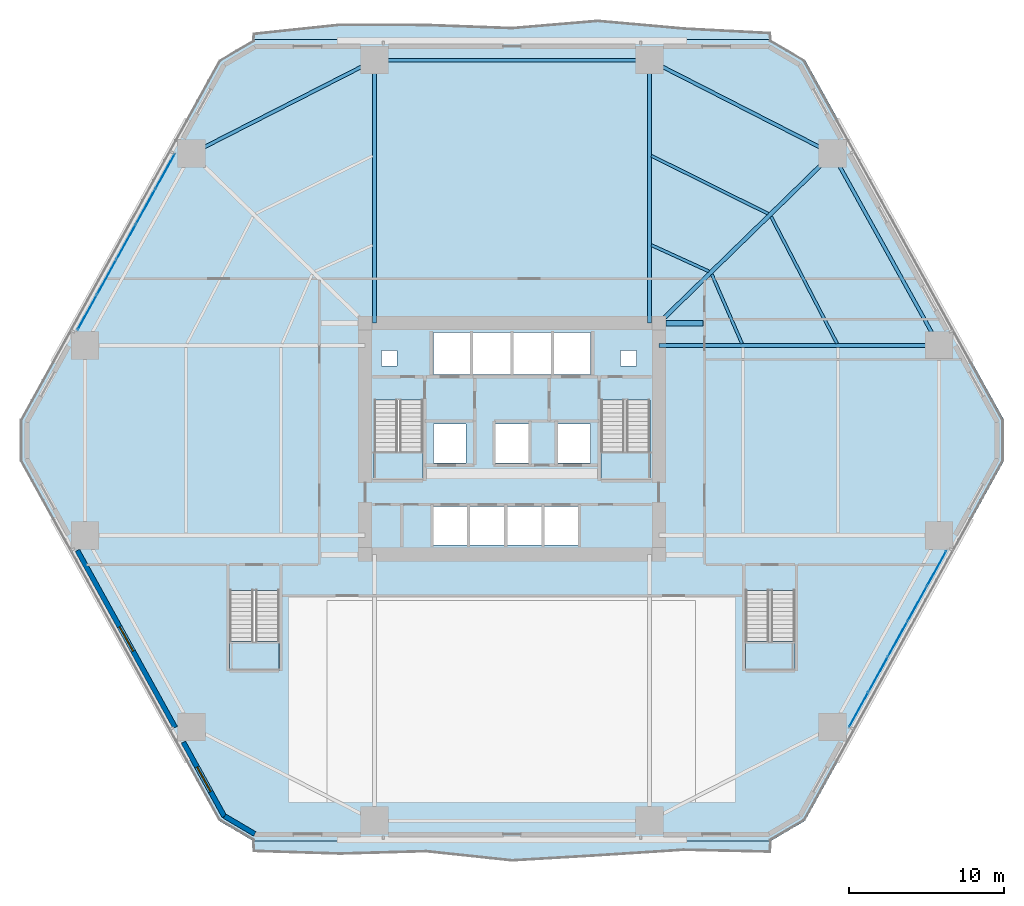
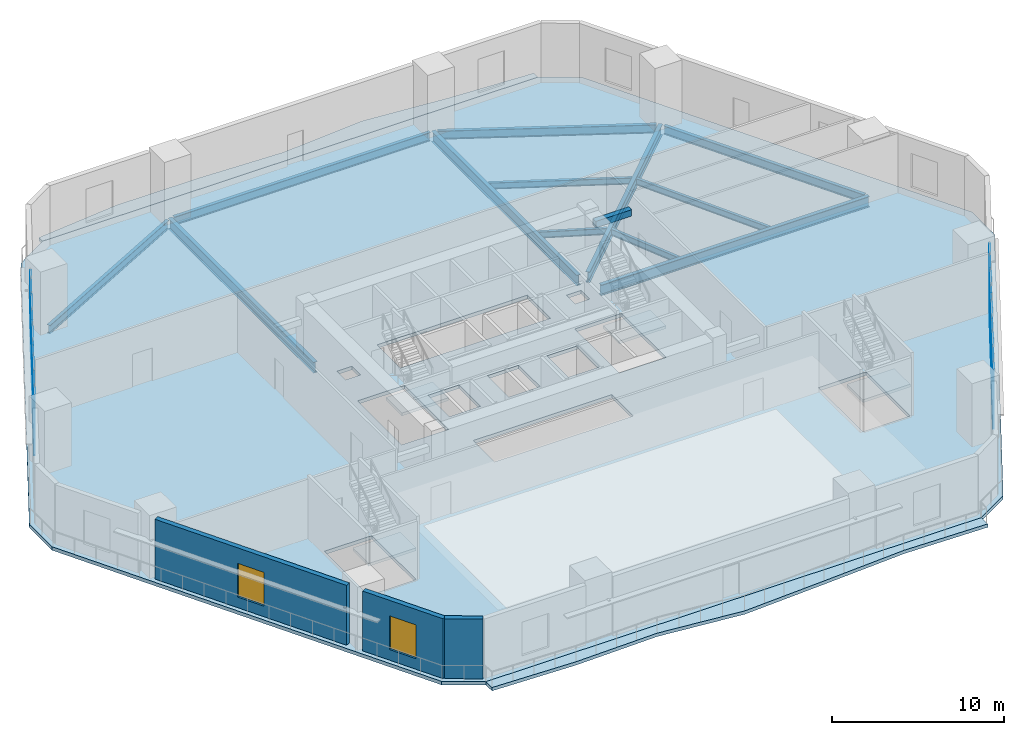
# One storey, part 8 of 21: 20 plates, 13 beams, 7 slabs, 3 walls, 2 windows, 2 openings, 6 elements without a shape of their own.
"""IFC4 building model written with IfcOpenShell, lengths in metres."""

from ifc_helpers import new_model, si_unit, direction, frame, frame_2d, origin, origin_2d, place, context, subcontext, project, spatial, polyline, rectangle, i_section, outline, extrude, material, layer, layer_set, material_profile, profile_set, type_object, element, fill, aggregate, save


model = new_model("IFC4")

# Units and contexts
model_context = context("Model", 3, precision=1e-05, world=origin(), true_north=direction((0.0, 1.0)))
body_context = subcontext(model_context, "Body", "Model", "MODEL_VIEW")
ifc_project = project(units=[si_unit("LENGTHUNIT", "METRE"), si_unit("AREAUNIT", "SQUARE_METRE"), si_unit("VOLUMEUNIT", "CUBIC_METRE"), si_unit("PLANEANGLEUNIT", "RADIAN"), si_unit("MASSUNIT", "GRAM", prefix="KILO")], contexts=[model_context])

# Site, building, storey
site_placement = place(None, origin())
site = spatial("IfcSite", under=ifc_project, at=site_placement, CompositionType="ELEMENT")
building_placement = place(site_placement, origin())
building = spatial("IfcBuilding", under=site, at=building_placement, Name="Cinnabar Lancet Tower", CompositionType="ELEMENT")
storey_placement = place(building_placement, frame((0.0, 0.0, 6.0)))
storey = spatial("IfcBuildingStorey", under=building, at=storey_placement, Name="L01", CompositionType="ELEMENT", Elevation=6.0)

# Beams
ifc_material_1 = material(Name="Structural steel S355", Category="steel")
ifc_material_profile_1 = material_profile(ifc_material_1, i_section(OverallWidth=0.1904296875, OverallDepth=0.45703125, WebThickness=0.009033203125, FlangeThickness=0.014404296875, FilletRadius=0.01025390625, at=origin_2d()), Name="UKB 457x191x74")
ifc_profile_set_1 = profile_set([ifc_material_profile_1], Name="Structural steel S355")
beam_type_1 = type_object("IfcBeamType", Name="STR-BM-JST-457", PredefinedType="JOIST", material=ifc_profile_set_1)
beam_1_placement = place(storey_placement, frame((53.326904296875, 32.041015625, -0.47900390625), z_axis=(-0.461626641841, 0.887074316809, 0.0), x_axis=(-0.887074316809, -0.461626641841, 0.0)))
element("IfcBeam", 1, at=beam_1_placement, inside=storey, type_object=beam_type_1, Name="L01 Secondary Floor Joist 3", PredefinedType="JOIST", context=body_context, shape_type="SweptSolid", body=[
    extrude(i_section(OverallWidth=0.1904296875, OverallDepth=0.45703125, WebThickness=0.009033203125, FlangeThickness=0.014404296875, FilletRadius=0.01025390625, at=origin_2d()), origin(), (0.0, 0.0, 1.0), 9.204345703125),
])
beam_2_placement = place(storey_placement, frame((47.2041015625, 32.041015625, -0.47900390625), z_axis=(-0.399496554125, 0.916734696214, 0.0), x_axis=(-0.916734696214, -0.399496554125, 0.0)))
element("IfcBeam", 2, at=beam_2_placement, inside=storey, type_object=beam_type_1, Name="L01 Secondary Floor Joist 4", PredefinedType="JOIST", context=body_context, shape_type="SweptSolid", body=[
    extrude(i_section(OverallWidth=0.1904296875, OverallDepth=0.45703125, WebThickness=0.009033203125, FlangeThickness=0.014404296875, FilletRadius=0.01025390625, at=origin_2d()), origin(), (0.0, 0.0, 1.0), 4.854248046875),
])
beam_3_placement = place(storey_placement, frame((48.886962890625, 40.39306640625, -0.47900390625), z_axis=(-0.895687488764, 0.444684070404, 0.0), x_axis=(-0.444684070404, -0.895687488764, 0.0)))
element("IfcBeam", 3, at=beam_3_placement, inside=storey, type_object=beam_type_1, Name="L01 Secondary Floor Joist 5", PredefinedType="JOIST", context=body_context, shape_type="SweptSolid", body=[
    extrude(i_section(OverallWidth=0.1904296875, OverallDepth=0.45703125, WebThickness=0.009033203125, FlangeThickness=0.014404296875, FilletRadius=0.01025390625, at=origin_2d()), origin(), (0.0, 0.0, 1.0), 8.383544921875),
])
beam_4_placement = place(storey_placement, frame((45.077880859375, 36.680908203125, -0.47900390625), z_axis=(-0.909792004986, 0.415064462057, 0.0), x_axis=(-0.415064462057, -0.909792004986, 0.0)))
element("IfcBeam", 4, at=beam_4_placement, inside=storey, type_object=beam_type_1, Name="L01 Secondary Floor Joist 6", PredefinedType="JOIST", context=body_context, shape_type="SweptSolid", body=[
    extrude(i_section(OverallWidth=0.1904296875, OverallDepth=0.45703125, WebThickness=0.009033203125, FlangeThickness=0.014404296875, FilletRadius=0.01025390625, at=origin_2d()), origin(), (0.0, 0.0, 1.0), 4.06689453125),
])
ifc_material_2 = material(Name="Concrete C45/55", Category="concrete")
ifc_material_profile_2 = material_profile(ifc_material_2, rectangle(XDim=0.35009765625, YDim=0.449951171875, at=origin_2d()), Name="RC-LNT 350x450")
ifc_profile_set_2 = profile_set([ifc_material_profile_2], Name="Concrete C45/55")
beam_type_2 = type_object("IfcBeamType", Name="STR-BM-LNT-450", PredefinedType="LINTEL", material=ifc_profile_set_2)
beam_5_placement = place(storey_placement, frame((42.300048828125, 33.35009765625, 3.050048828125), z_axis=(1.0, 0.0, 0.0), x_axis=(0.0, 1.0, 0.0)))
element("IfcBeam", 5, at=beam_5_placement, inside=storey, type_object=beam_type_2, Name="L01 Podium Gallery Arch Lintel NE", PredefinedType="LINTEL", context=body_context, shape_type="SweptSolid", body=[
    extrude(rectangle(XDim=0.35009765625, YDim=0.449951171875, at=origin_2d()), origin(), (0.0, 0.0, 1.0), 2.39990234375),
])
ifc_material_3 = material(Name="Structural steel S355", Category="steel")
ifc_material_profile_3 = material_profile(ifc_material_3, i_section(OverallWidth=0.228271484375, OverallDepth=0.607666015625, WebThickness=0.010986328125, FlangeThickness=0.017333984375, FilletRadius=0.0126953125, at=origin_2d()), Name="UKB 610x229x113")
ifc_profile_set_3 = profile_set([ifc_material_profile_3], Name="Structural steel S355")
beam_type_3 = type_object("IfcBeamType", Name="STR-BM-SPN-610", PredefinedType="SPANDREL", material=ifc_profile_set_3)
beam_6_placement = place(storey_placement, frame((59.77001953125, 32.126953125, -0.553955078125), z_axis=(-0.485037056876, 0.874493598294, 0.0), x_axis=(-0.874493598294, -0.485037056876, 0.0)))
element("IfcBeam", 6, at=beam_6_placement, inside=storey, type_object=beam_type_3, Name="L01 Perimeter Spandrel 5", PredefinedType="SPANDREL", context=body_context, shape_type="SweptSolid", body=[
    extrude(i_section(OverallWidth=0.228271484375, OverallDepth=0.607666015625, WebThickness=0.010986328125, FlangeThickness=0.017333984375, FilletRadius=0.0126953125, at=origin_2d()), origin(), (0.0, 0.0, 1.0), 13.619384765625),
])
beam_7_placement = place(storey_placement, frame((52.820068359375, 44.3701171875, -0.553955078125), z_axis=(-0.890540557794, 0.454903852396, 0.0), x_axis=(-0.454903852396, -0.890540557794, 0.0)))
element("IfcBeam", 7, at=beam_7_placement, inside=storey, type_object=beam_type_3, Name="L01 Perimeter Spandrel 6", PredefinedType="SPANDREL", context=body_context, shape_type="SweptSolid", body=[
    extrude(i_section(OverallWidth=0.228271484375, OverallDepth=0.607666015625, WebThickness=0.010986328125, FlangeThickness=0.017333984375, FilletRadius=0.0126953125, at=origin_2d()), origin(), (0.0, 0.0, 1.0), 12.747314453125),
])
beam_8_placement = place(storey_placement, frame((40.9951171875, 50.282958984375, -0.553955078125), z_axis=(-1.0, 0.0, 0.0), x_axis=(0.0, -1.0, 0.0)))
element("IfcBeam", 8, at=beam_8_placement, inside=storey, type_object=beam_type_3, Name="L01 Perimeter Spandrel 7", PredefinedType="SPANDREL", context=body_context, shape_type="SweptSolid", body=[
    extrude(i_section(OverallWidth=0.228271484375, OverallDepth=0.607666015625, WebThickness=0.010986328125, FlangeThickness=0.017333984375, FilletRadius=0.0126953125, at=origin_2d()), origin(), (0.0, 0.0, 1.0), 17.190185546875),
])
beam_9_placement = place(storey_placement, frame((23.33203125, 50.1689453125, -0.553955078125), z_axis=(-0.890540557794, -0.454903852396, 0.0), x_axis=(0.454903852396, -0.890540557794, 0.0)))
element("IfcBeam", 9, at=beam_9_placement, inside=storey, type_object=beam_type_3, Name="L01 Perimeter Spandrel 8", PredefinedType="SPANDREL", context=body_context, shape_type="SweptSolid", body=[
    extrude(i_section(OverallWidth=0.228271484375, OverallDepth=0.607666015625, WebThickness=0.010986328125, FlangeThickness=0.017333984375, FilletRadius=0.0126953125, at=origin_2d()), origin(), (0.0, 0.0, 1.0), 12.747314453125),
])
ifc_material_4 = material(Name="Structural steel S355", Category="steel")
ifc_material_profile_4 = material_profile(ifc_material_4, i_section(OverallWidth=0.2666015625, OverallDepth=0.76220703125, WebThickness=0.014404296875, FlangeThickness=0.021484375, FilletRadius=0.0166015625, at=origin_2d()), Name="UKB 762x267x173")
ifc_profile_set_4 = profile_set([ifc_material_profile_4], Name="Structural steel S355")
beam_type_4 = type_object("IfcBeamType", Name="STR-BM-UKB762-173", PredefinedType="BEAM", material=ifc_profile_set_4)
beam_10_placement = place(storey_placement, frame((53.04296875, 44.256103515625, -0.631103515625), z_axis=(-0.716225383515, -0.697869042163, 0.0), x_axis=(0.697869042163, -0.716225383515, 0.0)))
element("IfcBeam", 10, at=beam_10_placement, inside=storey, type_object=beam_type_4, Name="L01 Corner Collector Girder 3", PredefinedType="BEAM", context=body_context, shape_type="SweptSolid", body=[
    extrude(i_section(OverallWidth=0.2666015625, OverallDepth=0.76220703125, WebThickness=0.014404296875, FlangeThickness=0.021484375, FilletRadius=0.0166015625, at=origin_2d()), origin(), (0.0, 0.0, 1.0), 15.627685546875),
])
beam_11_placement = place(storey_placement, frame((59.89111328125, 31.907958984375, -0.631103515625), z_axis=(-1.0, 0.0, 0.0), x_axis=(0.0, -1.0, 0.0)))
element("IfcBeam", 11, at=beam_11_placement, inside=storey, type_object=beam_type_4, Name="L01 Primary Floor Girder 5", PredefinedType="BEAM", context=body_context, shape_type="SweptSolid", body=[
    extrude(i_section(OverallWidth=0.2666015625, OverallDepth=0.76220703125, WebThickness=0.014404296875, FlangeThickness=0.021484375, FilletRadius=0.0166015625, at=origin_2d()), origin(), (0.0, 0.0, 1.0), 18.041015625),
])
for number, where, z_axis, x_axis, name in (
    (12, (41.2451171875, 50.282958984375, -0.631103515625), (0.0, -1.0, 0.0), (1.0, 0.0, 0.0), "L01 Primary Floor Girder 7"),
    (13, (23.554931640625, 50.282958984375, -0.631103515625), (0.0, -1.0, 0.0), (1.0, 0.0, 0.0), "L01 Primary Floor Girder 8"),
):
    element("IfcBeam", number, at=place(storey_placement, frame(where, z_axis=z_axis, x_axis=x_axis)), inside=storey, type_object=beam_type_4, Name=name, PredefinedType="BEAM", context=body_context, shape_type="SweptSolid", body=[
        extrude(i_section(OverallWidth=0.2666015625, OverallDepth=0.76220703125, WebThickness=0.014404296875, FlangeThickness=0.021484375, FilletRadius=0.0166015625, at=origin_2d()), origin(), (0.0, 0.0, 1.0), 16.932861328125),
    ])

# Curtain wall, plates
ifc_material_5 = material(Name="Thermally broken bronze-anodized aluminium and low-E glass", Category="aluminium")
ifc_layer_1 = layer(ifc_material_5, 0.179931640625)
ifc_layer_set_1 = layer_set([ifc_layer_1], Name="Thermally broken bronze-anodized aluminium and low-E glass")
curtain_wall_type = type_object("IfcCurtainWallType", Name="ENV-CW-SYS-02", PredefinedType="NOTDEFINED", material=ifc_layer_set_1)
curtain_wall_1_placement = place(storey_placement, origin())
curtain_wall_1 = element("IfcCurtainWall", 14, at=curtain_wall_1_placement, inside=storey, type_object=curtain_wall_type, Name="L01 Face 2 Feature Curtain Wall", PredefinedType="NOTDEFINED")
ifc_material_6 = material(Name="Double-silver low-E laminated insulated glass unit", Category="glass")
ifc_layer_2 = layer(ifc_material_6, 0.031982421875)
ifc_layer_set_2 = layer_set([ifc_layer_2], Name="Double-silver low-E laminated insulated glass unit")
plate_type = type_object("IfcPlateType", Name="ENV-CW-PNL-32", PredefinedType="CURTAIN_PANEL", material=ifc_layer_set_2)
plate_1_placement = place(storey_placement, frame((54.72265625, 8.47216796875, 0.06005859375), z_axis=(0.0, 0.0, 1.0), x_axis=(0.48368456273, 0.875242391442, 0.0)))
plate_1 = element("IfcPlate", 15, at=plate_1_placement, type_object=plate_type, Name="CW-02 panel 1.1", PredefinedType="CURTAIN_PANEL", context=body_context, shape_type="SweptSolid", body=[
    extrude(rectangle(XDim=2.512939453125, YDim=0.028076171875, at=origin_2d()), origin(), (0.0, 0.0, 1.0), 2.1201171875),
])
plate_2_placement = place(storey_placement, frame((54.72265625, 8.47216796875, 2.240234375), z_axis=(0.0, 0.0, 1.0), x_axis=(0.48368456273, 0.875242391442, 0.0)))
plate_2 = element("IfcPlate", 16, at=plate_2_placement, type_object=plate_type, Name="CW-02 panel 1.2", PredefinedType="CURTAIN_PANEL", context=body_context, shape_type="SweptSolid", body=[
    extrude(rectangle(XDim=2.512939453125, YDim=0.028076171875, at=origin_2d()), origin(), (0.0, 0.0, 1.0), 1.949951171875),
])
plate_3_placement = place(storey_placement, frame((55.974609375, 10.7373046875, 0.06005859375), z_axis=(0.0, 0.0, 1.0), x_axis=(0.48368456273, 0.875242391442, 0.0)))
plate_3 = element("IfcPlate", 17, at=plate_3_placement, type_object=plate_type, Name="CW-02 panel 2.1", PredefinedType="CURTAIN_PANEL", context=body_context, shape_type="SweptSolid", body=[
    extrude(rectangle(XDim=2.54296875, YDim=0.028076171875, at=origin_2d()), origin(), (0.0, 0.0, 1.0), 2.1201171875),
])
plate_4_placement = place(storey_placement, frame((55.974609375, 10.7373046875, 2.240234375), z_axis=(0.0, 0.0, 1.0), x_axis=(0.48368456273, 0.875242391442, 0.0)))
plate_4 = element("IfcPlate", 18, at=plate_4_placement, type_object=plate_type, Name="CW-02 panel 2.2", PredefinedType="CURTAIN_PANEL", context=body_context, shape_type="SweptSolid", body=[
    extrude(rectangle(XDim=2.54296875, YDim=0.028076171875, at=origin_2d()), origin(), (0.0, 0.0, 1.0), 1.949951171875),
])
plate_5_placement = place(storey_placement, frame((57.2333984375, 13.015380859375, 0.06005859375), z_axis=(0.0, 0.0, 1.0), x_axis=(0.48368456273, 0.875242391442, 0.0)))
plate_5 = element("IfcPlate", 19, at=plate_5_placement, type_object=plate_type, Name="CW-02 panel 3.1", PredefinedType="CURTAIN_PANEL", context=body_context, shape_type="SweptSolid", body=[
    extrude(rectangle(XDim=2.54296875, YDim=0.028076171875, at=origin_2d()), origin(), (0.0, 0.0, 1.0), 2.1201171875),
])
plate_6_placement = place(storey_placement, frame((57.2333984375, 13.015380859375, 2.240234375), z_axis=(0.0, 0.0, 1.0), x_axis=(0.48368456273, 0.875242391442, 0.0)))
plate_6 = element("IfcPlate", 20, at=plate_6_placement, type_object=plate_type, Name="CW-02 panel 3.2", PredefinedType="CURTAIN_PANEL", context=body_context, shape_type="SweptSolid", body=[
    extrude(rectangle(XDim=2.54296875, YDim=0.028076171875, at=origin_2d()), origin(), (0.0, 0.0, 1.0), 1.949951171875),
])
plate_7_placement = place(storey_placement, frame((58.492431640625, 15.293701171875, 0.06005859375), z_axis=(0.0, 0.0, 1.0), x_axis=(0.48368456273, 0.875242391442, 0.0)))
plate_7 = element("IfcPlate", 21, at=plate_7_placement, type_object=plate_type, Name="CW-02 panel 4.1", PredefinedType="CURTAIN_PANEL", context=body_context, shape_type="SweptSolid", body=[
    extrude(rectangle(XDim=2.54296875, YDim=0.028076171875, at=origin_2d()), origin(), (0.0, 0.0, 1.0), 2.1201171875),
])
plate_8_placement = place(storey_placement, frame((58.492431640625, 15.293701171875, 2.240234375), z_axis=(0.0, 0.0, 1.0), x_axis=(0.48368456273, 0.875242391442, 0.0)))
plate_8 = element("IfcPlate", 22, at=plate_8_placement, type_object=plate_type, Name="CW-02 panel 4.2", PredefinedType="CURTAIN_PANEL", context=body_context, shape_type="SweptSolid", body=[
    extrude(rectangle(XDim=2.54296875, YDim=0.028076171875, at=origin_2d()), origin(), (0.0, 0.0, 1.0), 1.949951171875),
])
plate_9_placement = place(storey_placement, frame((59.744140625, 17.558837890625, 0.06005859375), z_axis=(0.0, 0.0, 1.0), x_axis=(0.48368456273, 0.875242391442, 0.0)))
plate_9 = element("IfcPlate", 23, at=plate_9_placement, type_object=plate_type, Name="CW-02 panel 5.1", PredefinedType="CURTAIN_PANEL", context=body_context, shape_type="SweptSolid", body=[
    extrude(rectangle(XDim=2.512939453125, YDim=0.028076171875, at=origin_2d()), origin(), (0.0, 0.0, 1.0), 2.1201171875),
])
plate_10_placement = place(storey_placement, frame((59.744140625, 17.558837890625, 2.240234375), z_axis=(0.0, 0.0, 1.0), x_axis=(0.48368456273, 0.875242391442, 0.0)))
plate_10 = element("IfcPlate", 24, at=plate_10_placement, type_object=plate_type, Name="CW-02 panel 5.2", PredefinedType="CURTAIN_PANEL", context=body_context, shape_type="SweptSolid", body=[
    extrude(rectangle(XDim=2.512939453125, YDim=0.028076171875, at=origin_2d()), origin(), (0.0, 0.0, 1.0), 1.949951171875),
])
aggregate(curtain_wall_1, [plate_1, plate_2, plate_3, plate_4, plate_5, plate_6, plate_7, plate_8, plate_9, plate_10])

curtain_wall_2_placement = place(storey_placement, origin())
curtain_wall_2 = element("IfcCurtainWall", 25, at=curtain_wall_2_placement, inside=storey, type_object=curtain_wall_type, Name="L01 Face 5 Feature Curtain Wall", PredefinedType="NOTDEFINED")
plate_11_placement = place(storey_placement, frame((10.0771484375, 43.127685546875, 0.06005859375), z_axis=(0.0, 0.0, 1.0), x_axis=(-0.48368456273, -0.875242391442, 0.0)))
plate_11 = element("IfcPlate", 26, at=plate_11_placement, type_object=plate_type, Name="CW-02 panel 1.1", PredefinedType="CURTAIN_PANEL", context=body_context, shape_type="SweptSolid", body=[
    extrude(rectangle(XDim=2.512939453125, YDim=0.028076171875, at=origin_2d()), origin(), (0.0, 0.0, 1.0), 2.1201171875),
])
plate_12_placement = place(storey_placement, frame((10.0771484375, 43.127685546875, 2.240234375), z_axis=(0.0, 0.0, 1.0), x_axis=(-0.48368456273, -0.875242391442, 0.0)))
plate_12 = element("IfcPlate", 27, at=plate_12_placement, type_object=plate_type, Name="CW-02 panel 1.2", PredefinedType="CURTAIN_PANEL", context=body_context, shape_type="SweptSolid", body=[
    extrude(rectangle(XDim=2.512939453125, YDim=0.028076171875, at=origin_2d()), origin(), (0.0, 0.0, 1.0), 1.949951171875),
])
plate_13_placement = place(storey_placement, frame((8.825439453125, 40.86279296875, 0.06005859375), z_axis=(0.0, 0.0, 1.0), x_axis=(-0.48368456273, -0.875242391442, 0.0)))
plate_13 = element("IfcPlate", 28, at=plate_13_placement, type_object=plate_type, Name="CW-02 panel 2.1", PredefinedType="CURTAIN_PANEL", context=body_context, shape_type="SweptSolid", body=[
    extrude(rectangle(XDim=2.54296875, YDim=0.028076171875, at=origin_2d()), origin(), (0.0, 0.0, 1.0), 2.1201171875),
])
plate_14_placement = place(storey_placement, frame((8.825439453125, 40.86279296875, 2.240234375), z_axis=(0.0, 0.0, 1.0), x_axis=(-0.48368456273, -0.875242391442, 0.0)))
plate_14 = element("IfcPlate", 29, at=plate_14_placement, type_object=plate_type, Name="CW-02 panel 2.2", PredefinedType="CURTAIN_PANEL", context=body_context, shape_type="SweptSolid", body=[
    extrude(rectangle(XDim=2.54296875, YDim=0.028076171875, at=origin_2d()), origin(), (0.0, 0.0, 1.0), 1.949951171875),
])
plate_15_placement = place(storey_placement, frame((7.56640625, 38.58447265625, 0.06005859375), z_axis=(0.0, 0.0, 1.0), x_axis=(-0.48368456273, -0.875242391442, 0.0)))
plate_15 = element("IfcPlate", 30, at=plate_15_placement, type_object=plate_type, Name="CW-02 panel 3.1", PredefinedType="CURTAIN_PANEL", context=body_context, shape_type="SweptSolid", body=[
    extrude(rectangle(XDim=2.54296875, YDim=0.028076171875, at=origin_2d()), origin(), (0.0, 0.0, 1.0), 2.1201171875),
])
plate_16_placement = place(storey_placement, frame((7.56640625, 38.58447265625, 2.240234375), z_axis=(0.0, 0.0, 1.0), x_axis=(-0.48368456273, -0.875242391442, 0.0)))
plate_16 = element("IfcPlate", 31, at=plate_16_placement, type_object=plate_type, Name="CW-02 panel 3.2", PredefinedType="CURTAIN_PANEL", context=body_context, shape_type="SweptSolid", body=[
    extrude(rectangle(XDim=2.54296875, YDim=0.028076171875, at=origin_2d()), origin(), (0.0, 0.0, 1.0), 1.949951171875),
])
plate_17_placement = place(storey_placement, frame((6.3076171875, 36.306396484375, 0.06005859375), z_axis=(0.0, 0.0, 1.0), x_axis=(-0.48368456273, -0.875242391442, 0.0)))
plate_17 = element("IfcPlate", 32, at=plate_17_placement, type_object=plate_type, Name="CW-02 panel 4.1", PredefinedType="CURTAIN_PANEL", context=body_context, shape_type="SweptSolid", body=[
    extrude(rectangle(XDim=2.54296875, YDim=0.028076171875, at=origin_2d()), origin(), (0.0, 0.0, 1.0), 2.1201171875),
])
plate_18_placement = place(storey_placement, frame((6.3076171875, 36.306396484375, 2.240234375), z_axis=(0.0, 0.0, 1.0), x_axis=(-0.48368456273, -0.875242391442, 0.0)))
plate_18 = element("IfcPlate", 33, at=plate_18_placement, type_object=plate_type, Name="CW-02 panel 4.2", PredefinedType="CURTAIN_PANEL", context=body_context, shape_type="SweptSolid", body=[
    extrude(rectangle(XDim=2.54296875, YDim=0.028076171875, at=origin_2d()), origin(), (0.0, 0.0, 1.0), 1.949951171875),
])
plate_19_placement = place(storey_placement, frame((5.0556640625, 34.041259765625, 0.06005859375), z_axis=(0.0, 0.0, 1.0), x_axis=(-0.48368456273, -0.875242391442, 0.0)))
plate_19 = element("IfcPlate", 34, at=plate_19_placement, type_object=plate_type, Name="CW-02 panel 5.1", PredefinedType="CURTAIN_PANEL", context=body_context, shape_type="SweptSolid", body=[
    extrude(rectangle(XDim=2.512939453125, YDim=0.028076171875, at=origin_2d()), origin(), (0.0, 0.0, 1.0), 2.1201171875),
])
plate_20_placement = place(storey_placement, frame((5.0556640625, 34.041259765625, 2.240234375), z_axis=(0.0, 0.0, 1.0), x_axis=(-0.48368456273, -0.875242391442, 0.0)))
plate_20 = element("IfcPlate", 35, at=plate_20_placement, type_object=plate_type, Name="CW-02 panel 5.2", PredefinedType="CURTAIN_PANEL", context=body_context, shape_type="SweptSolid", body=[
    extrude(rectangle(XDim=2.512939453125, YDim=0.028076171875, at=origin_2d()), origin(), (0.0, 0.0, 1.0), 1.949951171875),
])
aggregate(curtain_wall_2, [plate_11, plate_12, plate_13, plate_14, plate_15, plate_16, plate_17, plate_18, plate_19, plate_20])

# Stair, slab
ifc_material_7 = material(Name="Concrete C40/50", Category="concrete")
stair_type_1 = type_object("IfcStairType", Name="ST-CORE", PredefinedType="HALF_TURN_STAIR", material=ifc_material_7)
stair_1_placement = place(storey_placement, origin())
stair_1 = element("IfcStair", 36, at=stair_1_placement, inside=storey, type_object=stair_type_1, Name="L01 ST-1", PredefinedType="HALF_TURN_STAIR")
ifc_material_8 = material(Name="Concrete C40/50", Category="concrete")
ifc_layer_3 = layer(ifc_material_8, 0.199951171875)
ifc_layer_set_3 = layer_set([ifc_layer_3], Name="Concrete C40/50")
slab_type_1 = type_object("IfcSlabType", Name="LANDING-CORE", PredefinedType="LANDING", material=ifc_layer_set_3)
slab_1_placement = place(storey_placement, frame((0.0, 0.0, 2.050048828125)))
slab_1 = element("IfcSlab", 37, at=slab_1_placement, type_object=slab_type_1, Name="ST-1 landing 1", PredefinedType="LANDING", context=body_context, shape_type="SweptSolid", body=[
    extrude(outline(polyline([(23.52490234375, 25.10009765625), (23.52490234375, 23.25), (26.675048828125, 23.25), (26.675048828125, 25.10009765625), (23.52490234375, 25.10009765625)])), origin(), (0.0, 0.0, 1.0), 0.199951171875),
])
aggregate(stair_1, [slab_1])

stair_2_placement = place(storey_placement, origin())
stair_2 = element("IfcStair", 38, at=stair_2_placement, inside=storey, type_object=stair_type_1, Name="L01 ST-2", PredefinedType="HALF_TURN_STAIR")
slab_2_placement = place(storey_placement, frame((0.0, 0.0, 2.050048828125)))
slab_2 = element("IfcSlab", 39, at=slab_2_placement, type_object=slab_type_1, Name="ST-2 landing 1", PredefinedType="LANDING", context=body_context, shape_type="SweptSolid", body=[
    extrude(outline(polyline([(38.125, 25.10009765625), (38.125, 23.25), (41.27490234375, 23.25), (41.27490234375, 25.10009765625), (38.125, 25.10009765625)])), origin(), (0.0, 0.0, 1.0), 0.199951171875),
])
aggregate(stair_2, [slab_2])

ifc_material_9 = material(Name="Concrete C40/50", Category="concrete")
stair_type_2 = type_object("IfcStairType", Name="ST-POD", PredefinedType="HALF_TURN_STAIR", material=ifc_material_9)
stair_3_placement = place(storey_placement, origin())
stair_3 = element("IfcStair", 40, at=stair_3_placement, inside=storey, type_object=stair_type_2, Name="L01 ST-3", PredefinedType="HALF_TURN_STAIR")
ifc_material_10 = material(Name="Concrete C40/50", Category="concrete")
ifc_layer_4 = layer(ifc_material_10, 0.2099609375)
ifc_layer_set_4 = layer_set([ifc_layer_4], Name="Concrete C40/50")
slab_type_2 = type_object("IfcSlabType", Name="LANDING-POD", PredefinedType="LANDING", material=ifc_layer_set_4)
slab_3_placement = place(storey_placement, frame((0.0, 0.0, 2.050048828125)))
slab_3 = element("IfcSlab", 41, at=slab_3_placement, type_object=slab_type_2, Name="ST-3 landing 1", PredefinedType="LANDING", context=body_context, shape_type="SweptSolid", body=[
    extrude(outline(polyline([(14.22509765625, 12.85009765625), (14.22509765625, 11.0), (17.4150390625, 11.0), (17.4150390625, 12.85009765625), (14.22509765625, 12.85009765625)])), origin(), (0.0, 0.0, 1.0), 0.199951171875),
])
aggregate(stair_3, [slab_3])

stair_4_placement = place(storey_placement, origin())
stair_4 = element("IfcStair", 42, at=stair_4_placement, inside=storey, type_object=stair_type_2, Name="L01 ST-4", PredefinedType="HALF_TURN_STAIR")
slab_4_placement = place(storey_placement, frame((0.0, 0.0, 2.050048828125)))
slab_4 = element("IfcSlab", 43, at=slab_4_placement, type_object=slab_type_2, Name="ST-4 landing 1", PredefinedType="LANDING", context=body_context, shape_type="SweptSolid", body=[
    extrude(outline(polyline([(47.425048828125, 12.85009765625), (47.425048828125, 11.0), (50.614990234375, 11.0), (50.614990234375, 12.85009765625), (47.425048828125, 12.85009765625)])), origin(), (0.0, 0.0, 1.0), 0.199951171875),
])
aggregate(stair_4, [slab_4])

# Slabs
ifc_material_11 = material(Name="Concrete C40/50", Category="concrete")
ifc_layer_5 = layer(ifc_material_11, 0.25)
ifc_layer_set_5 = layer_set([ifc_layer_5], Name="Concrete C40/50")
slab_type_3 = type_object("IfcSlabType", Name="STR-SLB-FLR-250", PredefinedType="FLOOR", material=ifc_layer_set_5)
slab_5_placement = place(storey_placement, frame((0.0, 0.0, -0.25)))
element("IfcSlab", 44, at=slab_5_placement, inside=storey, type_object=slab_type_3, Name="L01 Structural Floor Slab", PredefinedType="FLOOR", context=body_context, shape_type="SweptSolid", body=[
    extrude(outline(polyline([(13.531005859375, 1.31298828125), (15.756103515625, 0.0), (49.0439453125, 0.0), (51.26904296875, 1.31298828125), (64.074951171875, 24.487060546875), (64.074951171875, 27.113037109375), (51.26904296875, 50.287109375), (49.0439453125, 51.60009765625), (15.756103515625, 51.60009765625), (13.531005859375, 50.287109375), (0.72509765625, 27.113037109375), (0.72509765625, 24.487060546875), (13.531005859375, 1.31298828125)]), holes=[polyline([(23.52490234375, 23.25), (26.675048828125, 23.25), (26.675048828125, 28.3994140625), (23.52490234375, 28.3994140625), (23.52490234375, 23.25)]), polyline([(38.125, 23.25), (41.27490234375, 23.25), (41.27490234375, 28.3994140625), (38.125, 28.3994140625), (38.125, 23.25)]), polyline([(14.22509765625, 11.0), (17.4150390625, 11.0), (17.4150390625, 16.1494140625), (14.22509765625, 16.1494140625), (14.22509765625, 11.0)]), polyline([(47.425048828125, 11.0), (50.614990234375, 11.0), (50.614990234375, 16.1494140625), (47.425048828125, 16.1494140625), (47.425048828125, 11.0)]), polyline([(27.35009765625, 30.050048828125), (37.449951171875, 30.050048828125), (37.449951171875, 32.75), (27.35009765625, 32.75), (27.35009765625, 30.050048828125)]), polyline([(27.35009765625, 19.050048828125), (36.64990234375, 19.050048828125), (36.64990234375, 21.550048828125), (27.35009765625, 21.550048828125), (27.35009765625, 19.050048828125)]), polyline([(27.35009765625, 24.35009765625), (29.449951171875, 24.35009765625), (29.449951171875, 26.85009765625), (27.35009765625, 26.85009765625), (27.35009765625, 24.35009765625)]), polyline([(35.35009765625, 24.35009765625), (37.449951171875, 24.35009765625), (37.449951171875, 26.85009765625), (35.35009765625, 26.85009765625), (35.35009765625, 24.35009765625)]), polyline([(31.35009765625, 24.35009765625), (33.449951171875, 24.35009765625), (33.449951171875, 26.85009765625), (31.35009765625, 26.85009765625), (31.35009765625, 24.35009765625)]), polyline([(24.0, 30.60009765625), (25.0, 30.60009765625), (25.0, 31.60009765625), (24.0, 31.60009765625), (24.0, 30.60009765625)]), polyline([(39.39990234375, 30.60009765625), (40.39990234375, 30.60009765625), (40.39990234375, 31.60009765625), (39.39990234375, 31.60009765625), (39.39990234375, 30.60009765625)])]), origin(), (0.0, 0.0, 1.0), 0.25),
])
ifc_material_12 = material(Name="Concrete C45/55", Category="concrete")
ifc_layer_6 = layer(ifc_material_12, 0.239990234375)
ifc_layer_set_6 = layer_set([ifc_layer_6], Name="Concrete C45/55")
slab_type_4 = type_object("IfcSlabType", Name="STR-SLB-WAV-240", PredefinedType="FLOOR", material=ifc_layer_set_6)
slab_6_placement = place(storey_placement, frame((0.0, 0.0, -0.239990234375)))
element("IfcSlab", 45, at=slab_6_placement, inside=storey, type_object=slab_type_4, Name="L01 Face 1 Undulating Wave Balcony Slab", PredefinedType="FLOOR", context=body_context, shape_type="SweptSolid", body=[
    extrude(outline(polyline([(15.756103515625, 0.0), (15.756103515625, -0.696044921875), (21.303955078125, -0.875), (26.85205078125, -0.72509765625), (32.39990234375, -1.31591796875), (37.947998046875, -0.988037109375), (43.49609375, -0.626953125), (49.0439453125, -0.742919921875), (49.0439453125, 0.0), (15.756103515625, 0.0)])), origin(), (0.0, 0.0, 1.0), 0.239990234375),
])
slab_7_placement = place(storey_placement, frame((0.0, 0.0, -0.239990234375)))
element("IfcSlab", 46, at=slab_7_placement, inside=storey, type_object=slab_type_4, Name="L01 Face 4 Undulating Wave Balcony Slab", PredefinedType="FLOOR", context=body_context, shape_type="SweptSolid", body=[
    extrude(outline(polyline([(49.0439453125, 51.60009765625), (49.0439453125, 52.069091796875), (43.49609375, 52.365966796875), (37.947998046875, 52.864990234375), (32.39990234375, 52.40087890625), (26.85205078125, 52.60205078125), (21.303955078125, 52.614013671875), (15.756103515625, 52.02197265625), (15.756103515625, 51.60009765625), (49.0439453125, 51.60009765625)])), origin(), (0.0, 0.0, 1.0), 0.239990234375),
])

# Wall
ifc_material_13 = material(Name="Warm buff clay brick", Category="masonry")
ifc_layer_7 = layer(ifc_material_13, 0.320068359375)
ifc_layer_set_7 = layer_set([ifc_layer_7], Name="Warm buff clay brick")
wall_type = type_object("IfcWallType", Name="ENV-WL-BRK-BUF-320", PredefinedType="STANDARD", material=ifc_layer_set_7)
wall_1_placement = place(storey_placement, frame((13.89697265625, 1.60791015625, 0.0), z_axis=(0.0, 0.0, 1.0), x_axis=(0.861181020205, -0.508298387209, 0.0)))
element("IfcWall", 47, at=wall_1_placement, inside=storey, type_object=wall_type, Name="L01 Chamfered Corner Brick Pier 1.1", PredefinedType="STANDARD", context=body_context, shape_type="SweptSolid", body=[
    extrude(rectangle(XDim=2.252685546875, YDim=0.320068359375, at=frame_2d((1.12646484375, 0.0))), origin(), (0.0, 0.0, 1.0), 4.25),
])

# Wall, opening, window
wall_2_placement = place(storey_placement, frame((4.4189453125, 18.7109375, 0.0), z_axis=(0.0, 0.0, 1.0), x_axis=(0.483698591046, -0.875234638837, 0.0)))
wall_2 = element("IfcWall", 48, at=wall_2_placement, inside=storey, type_object=wall_type, Name="L01 Face 6 Masonry Bay Wall 2", PredefinedType="STANDARD", context=body_context, shape_type="SweptSolid", body=[
    extrude(rectangle(XDim=13.0146484375, YDim=0.320068359375, at=frame_2d((6.50732421875, 0.0))), origin(), (0.0, 0.0, 1.0), 4.25),
])
opening_1_placement = place(wall_2_placement, frame((5.60693359375, 0.0, 0.75)))
opening_1 = element("IfcOpeningElement", 49, at=opening_1_placement, cuts=wall_2, Name="Opening WN-05", PredefinedType="OPENING", context=body_context, shape_type="SweptSolid", body=[
    extrude(rectangle(XDim=1.800048828125, YDim=2.39990234375, at=frame_2d((0.89990234375, 1.199951171875))), frame((0.0, 0.169921875, 0.0), z_axis=(0.0, -1.0, 0.0), x_axis=(1.0, 0.0, 0.0)), (0.0, 0.0, 1.0), 0.340087890625),
])
ifc_material_14 = material(Name="Thermally broken bronze-anodized aluminium podium lancet window", Category="aluminium")
window_type = type_object("IfcWindowType", Name="ENV-WN-POD-1800", PartitioningType="SINGLE_PANEL", PredefinedType="WINDOW", material=ifc_material_14)
window_1_placement = place(opening_1_placement, origin())
window_1 = element("IfcWindow", 50, at=window_1_placement, inside=storey, type_object=window_type, Name="L01 Face 6 Gothic Lancet Window 2", OverallHeight=2.39990234375, OverallWidth=1.800048828125, PartitioningType="SINGLE_PANEL", PredefinedType="WINDOW", context=body_context, shape_type="SweptSolid", body=[
    extrude(rectangle(XDim=1.800048828125, YDim=2.39990234375, at=frame_2d((0.89990234375, 1.199951171875))), frame((0.0, 0.030029296875, 0.0), z_axis=(0.0, -1.0, 0.0), x_axis=(1.0, 0.0, 0.0)), (0.0, 0.0, 1.0), 0.06005859375),
])
fill(opening_1, window_1)

wall_3_placement = place(storey_placement, frame((11.242919921875, 6.363037109375, 0.0), z_axis=(0.0, 0.0, 1.0), x_axis=(0.483675274773, -0.875247524174, 0.0)))
wall_3 = element("IfcWall", 51, at=wall_3_placement, inside=storey, type_object=wall_type, Name="L01 Face 6 Masonry Bay Wall 3", PredefinedType="STANDARD", context=body_context, shape_type="SweptSolid", body=[
    extrude(rectangle(XDim=5.449951171875, YDim=0.320068359375, at=frame_2d((2.72509765625, 0.0))), origin(), (0.0, 0.0, 1.0), 4.25),
])
opening_2_placement = place(wall_3_placement, frame((1.824951171875, 0.0, 0.75)))
opening_2 = element("IfcOpeningElement", 52, at=opening_2_placement, cuts=wall_3, Name="Opening WN-05", PredefinedType="OPENING", context=body_context, shape_type="SweptSolid", body=[
    extrude(rectangle(XDim=1.800048828125, YDim=2.39990234375, at=frame_2d((0.89990234375, 1.199951171875))), frame((0.0, 0.169921875, 0.0), z_axis=(0.0, -1.0, 0.0), x_axis=(1.0, 0.0, 0.0)), (0.0, 0.0, 1.0), 0.340087890625),
])
window_2_placement = place(opening_2_placement, origin())
window_2 = element("IfcWindow", 53, at=window_2_placement, inside=storey, type_object=window_type, Name="L01 Face 6 Gothic Lancet Window 3", OverallHeight=2.39990234375, OverallWidth=1.800048828125, PartitioningType="SINGLE_PANEL", PredefinedType="WINDOW", context=body_context, shape_type="SweptSolid", body=[
    extrude(rectangle(XDim=1.800048828125, YDim=2.39990234375, at=frame_2d((0.89990234375, 1.199951171875))), frame((0.0, 0.030029296875, 0.0), z_axis=(0.0, -1.0, 0.0), x_axis=(1.0, 0.0, 0.0)), (0.0, 0.0, 1.0), 0.06005859375),
])
fill(opening_2, window_2)

save(model, "model.ifc")
